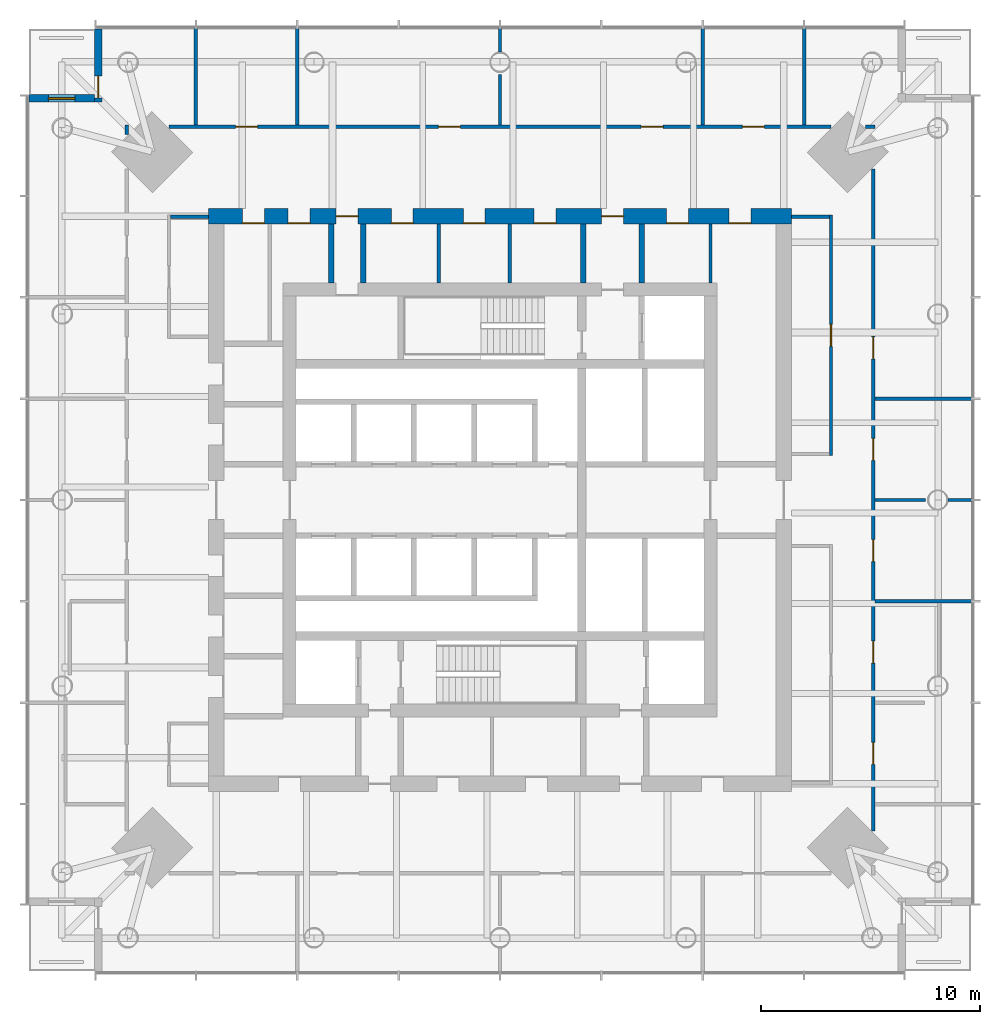
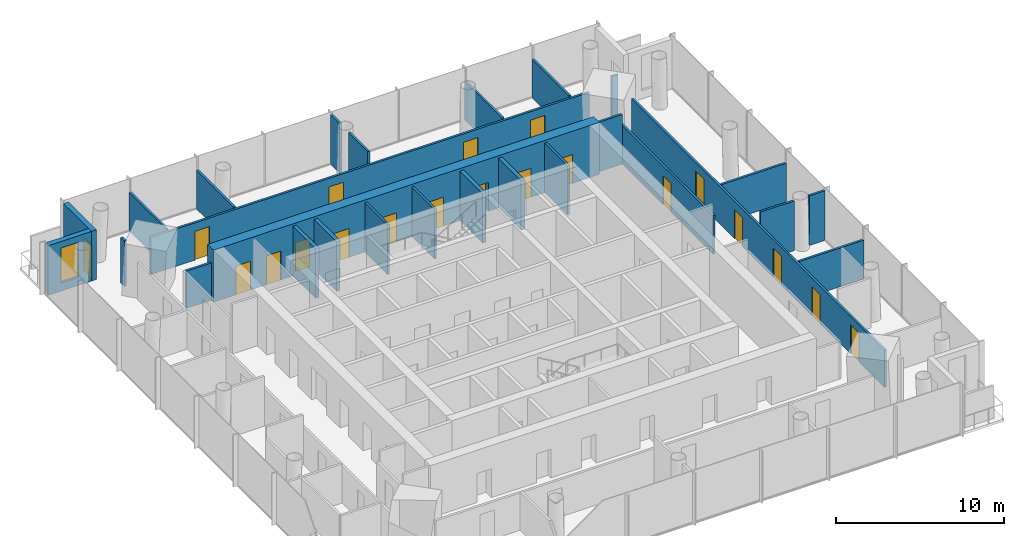
# One storey, part 7 of 9: 27 walls, 20 doors, 1 window, 21 openings.
"""IFC4 building model written with IfcOpenShell, lengths in metres."""

from ifc_helpers import new_model, si_unit, direction, frame, frame_2d, origin, place, context, subcontext, project, spatial, rectangle, extrude, material, layer, layer_set, type_object, element, fill, save


model = new_model("IFC4")

# Units and contexts
model_context = context("Model", 3, precision=1e-05, world=origin(), true_north=direction((0.0, 1.0)))
body_context = subcontext(model_context, "Body", "Model", "MODEL_VIEW")
ifc_project = project(units=[si_unit("LENGTHUNIT", "METRE"), si_unit("AREAUNIT", "SQUARE_METRE"), si_unit("VOLUMEUNIT", "CUBIC_METRE"), si_unit("PLANEANGLEUNIT", "RADIAN"), si_unit("MASSUNIT", "GRAM", prefix="KILO")], contexts=[model_context])

# Site, building, storey
site_placement = place(None, origin())
site = spatial("IfcSite", under=ifc_project, at=site_placement, CompositionType="ELEMENT")
building_placement = place(site_placement, origin())
building = spatial("IfcBuilding", under=site, at=building_placement, Name="Ostroluk Exchange", CompositionType="ELEMENT")
storey_placement = place(building_placement, frame((0.0, 0.0, 146.39990234375)))
storey = spatial("IfcBuildingStorey", under=building, at=storey_placement, Name="L37", CompositionType="ELEMENT", Elevation=146.39990234375)

# Walls
ifc_material_1 = material(Name="Concrete blockwork", Category="masonry")
ifc_layer_1 = layer(ifc_material_1, 0.14990234375)
ifc_layer_set_1 = layer_set([ifc_layer_1], Name="Blockwork plant room wall 150")
wall_type_1 = type_object("IfcWallType", Name="Blockwork plant room wall 150", PredefinedType="SOLIDWALL", material=ifc_layer_set_1)
for number, where, z_axis, x_axis, name in (
    (1, (42.208740234375, 55.89990234375, 0.0), (0.0, 0.0, 1.0), (0.0, 1.0, 0.0), "Core room wall"),
    (2, (45.4443359375, 55.89990234375, 0.0), (0.0, 0.0, 1.0), (0.0, 1.0, 0.0), "Core room wall"),
    (3, (54.60009765625, 55.89990234375, 0.0), (0.0, 0.0, 1.0), (0.0, 1.0, 0.0), "Core room wall"),
):
    element("IfcWall", number, at=place(storey_placement, frame(where, z_axis=z_axis, x_axis=x_axis)), inside=storey, type_object=wall_type_1, Name=name, PredefinedType="SOLIDWALL", context=body_context, shape_type="SweptSolid", body=[
        extrude(rectangle(XDim=2.7001953125, YDim=0.14990234375, at=frame_2d((1.35009765625, 0.0))), origin(), (0.0, 0.0, 1.0), 3.6201171875),
    ])
ifc_material_2 = material(Name="Concrete blockwork", Category="masonry")
ifc_layer_2 = layer(ifc_material_2, 0.25)
ifc_layer_set_2 = layer_set([ifc_layer_2], Name="Blockwork stair enclosure wall 250")
wall_type_2 = type_object("IfcWallType", Name="Blockwork stair enclosure wall 250", PredefinedType="SOLIDWALL", material=ifc_layer_set_2)
for number, where, z_axis, x_axis, name in (
    (4, (48.804931640625, 55.89990234375, 0.0), (0.0, 0.0, 1.0), (0.0, 1.0, 0.0), "Fire lobby enclosure wall"),
    (5, (51.47509765625, 55.89990234375, 0.0), (0.0, 0.0, 1.0), (0.0, 1.0, 0.0), "Fire lobby enclosure wall"),
    (6, (37.300048828125, 55.89990234375, 0.0), (0.0, 0.0, 1.0), (0.0, 1.0, 0.0), "Core corridor wall"),
    (7, (38.75, 55.89990234375, 0.0), (0.0, 0.0, 1.0), (0.0, 1.0, 0.0), "Core corridor wall"),
):
    element("IfcWall", number, at=place(storey_placement, frame(where, z_axis=z_axis, x_axis=x_axis)), inside=storey, type_object=wall_type_2, Name=name, PredefinedType="SOLIDWALL", context=body_context, shape_type="SweptSolid", body=[
        extrude(rectangle(XDim=2.7001953125, YDim=0.25, at=frame_2d((1.35009765625, 0.0))), origin(), (0.0, 0.0, 1.0), 3.6201171875),
    ])

# Wall, openings, doors
ifc_material_3 = material(Name="Concrete C50/60", Category="concrete")
ifc_layer_3 = layer(ifc_material_3, 0.699951171875)
ifc_layer_set_3 = layer_set([ifc_layer_3], Name="Core wall 700 C50/60")
wall_type_3 = type_object("IfcWallType", Name="Core wall 700 C50/60", PredefinedType="SHEAR", material=ifc_layer_set_3)
wall_1_placement = place(storey_placement, frame((31.699951171875, 58.949951171875, 0.0), z_axis=(0.0, 0.0, 1.0), x_axis=(1.0, 0.0, 0.0)))
wall_1 = element("IfcWall", 8, at=wall_1_placement, inside=storey, type_object=wall_type_3, Name="T1 core wall RN", PredefinedType="SHEAR", context=body_context, shape_type="SweptSolid", body=[
    extrude(rectangle(XDim=26.60009765625, YDim=0.699951171875, at=frame_2d((13.300048828125, 0.0))), origin(), (0.0, 0.0, 1.0), 3.800048828125),
])
opening_1_placement = place(wall_1_placement, frame((17.93994140625, 0.0, 0.0)))
opening_1 = element("IfcOpeningElement", 9, at=opening_1_placement, cuts=wall_1, Name="Opening FD60", PredefinedType="OPENING", context=body_context, shape_type="SweptSolid", body=[
    extrude(rectangle(XDim=1.0, YDim=2.10009765625, at=frame_2d((0.5, 1.050048828125))), frame((0.0, 0.35986328125, 0.0), z_axis=(0.0, -1.0, 0.0), x_axis=(1.0, 0.0, 0.0)), (0.0, 0.0, 1.0), 0.719970703125),
])
opening_2_placement = place(wall_1_placement, frame((5.824951171875, 0.0, 0.0)))
opening_2 = element("IfcOpeningElement", 10, at=opening_2_placement, cuts=wall_1, Name="Opening FD60", PredefinedType="OPENING", context=body_context, shape_type="SweptSolid", body=[
    extrude(rectangle(XDim=1.0, YDim=2.10009765625, at=frame_2d((0.5, 1.050048828125))), frame((0.0, 0.35986328125, 0.0), z_axis=(0.0, -1.0, 0.0), x_axis=(1.0, 0.0, 0.0)), (0.0, 0.0, 1.0), 0.719970703125),
])
opening_3_placement = place(wall_1_placement, frame((1.551025390625, 0.0, 0.0)))
opening_3 = element("IfcOpeningElement", 11, at=opening_3_placement, cuts=wall_1, Name="Opening FD60", PredefinedType="OPENING", context=body_context, shape_type="SweptSolid", body=[
    extrude(rectangle(XDim=1.0, YDim=2.10009765625, at=frame_2d((0.5, 1.050048828125))), frame((0.0, 0.35986328125, 0.0), z_axis=(0.0, -1.0, 0.0), x_axis=(1.0, 0.0, 0.0)), (0.0, 0.0, 1.0), 0.719970703125),
])
opening_4_placement = place(wall_1_placement, frame((3.637939453125, 0.0, 0.0)))
opening_4 = element("IfcOpeningElement", 12, at=opening_4_placement, cuts=wall_1, Name="Opening FD60", PredefinedType="OPENING", context=body_context, shape_type="SweptSolid", body=[
    extrude(rectangle(XDim=1.0, YDim=2.10009765625, at=frame_2d((0.5, 1.050048828125))), frame((0.0, 0.35986328125, 0.0), z_axis=(0.0, -1.0, 0.0), x_axis=(1.0, 0.0, 0.0)), (0.0, 0.0, 1.0), 0.719970703125),
])
opening_5_placement = place(wall_1_placement, frame((8.341796875, 0.0, 0.0)))
opening_5 = element("IfcOpeningElement", 13, at=opening_5_placement, cuts=wall_1, Name="Opening FD60", PredefinedType="OPENING", context=body_context, shape_type="SweptSolid", body=[
    extrude(rectangle(XDim=1.0, YDim=2.10009765625, at=frame_2d((0.5, 1.050048828125))), frame((0.0, 0.35986328125, 0.0), z_axis=(0.0, -1.0, 0.0), x_axis=(1.0, 0.0, 0.0)), (0.0, 0.0, 1.0), 0.719970703125),
])
opening_6_placement = place(wall_1_placement, frame((11.62646484375, 0.0, 0.0)))
opening_6 = element("IfcOpeningElement", 14, at=opening_6_placement, cuts=wall_1, Name="Opening FD60", PredefinedType="OPENING", context=body_context, shape_type="SweptSolid", body=[
    extrude(rectangle(XDim=1.0, YDim=2.10009765625, at=frame_2d((0.5, 1.050048828125))), frame((0.0, 0.35986328125, 0.0), z_axis=(0.0, -1.0, 0.0), x_axis=(1.0, 0.0, 0.0)), (0.0, 0.0, 1.0), 0.719970703125),
])
opening_7_placement = place(wall_1_placement, frame((14.862060546875, 0.0, 0.0)))
opening_7 = element("IfcOpeningElement", 15, at=opening_7_placement, cuts=wall_1, Name="Opening FD60", PredefinedType="OPENING", context=body_context, shape_type="SweptSolid", body=[
    extrude(rectangle(XDim=1.0, YDim=2.10009765625, at=frame_2d((0.5, 1.050048828125))), frame((0.0, 0.35986328125, 0.0), z_axis=(0.0, -1.0, 0.0), x_axis=(1.0, 0.0, 0.0)), (0.0, 0.0, 1.0), 0.719970703125),
])
opening_8_placement = place(wall_1_placement, frame((20.89990234375, 0.0, 0.0)))
opening_8 = element("IfcOpeningElement", 16, at=opening_8_placement, cuts=wall_1, Name="Opening FD60", PredefinedType="OPENING", context=body_context, shape_type="SweptSolid", body=[
    extrude(rectangle(XDim=1.0, YDim=2.10009765625, at=frame_2d((0.5, 1.050048828125))), frame((0.0, 0.35986328125, 0.0), z_axis=(0.0, -1.0, 0.0), x_axis=(1.0, 0.0, 0.0)), (0.0, 0.0, 1.0), 0.719970703125),
])
opening_9_placement = place(wall_1_placement, frame((23.75, 0.0, 0.0)))
opening_9 = element("IfcOpeningElement", 17, at=opening_9_placement, cuts=wall_1, Name="Opening FD60", PredefinedType="OPENING", context=body_context, shape_type="SweptSolid", body=[
    extrude(rectangle(XDim=1.0, YDim=2.10009765625, at=frame_2d((0.5, 1.050048828125))), frame((0.0, 0.35986328125, 0.0), z_axis=(0.0, -1.0, 0.0), x_axis=(1.0, 0.0, 0.0)), (0.0, 0.0, 1.0), 0.719970703125),
])
ifc_material_4 = material(Name="Steel", Category="steel")
door_type_1 = type_object("IfcDoorType", Name="Fire door EI 60 1000 x 2100", OperationType="SINGLE_SWING_LEFT", PredefinedType="DOOR", material=ifc_material_4)
door_1_placement = place(opening_1_placement, origin())
door_1 = element("IfcDoor", 18, at=door_1_placement, inside=storey, type_object=door_type_1, Name="Firefighting lobby door", OperationType="SINGLE_SWING_RIGHT", OverallHeight=2.10009765625, OverallWidth=1.0, PredefinedType="DOOR", context=body_context, shape_type="SweptSolid", body=[
    extrude(rectangle(XDim=1.0, YDim=2.10009765625, at=frame_2d((0.5, 1.050048828125))), frame((0.0, 0.02490234375, 0.0), z_axis=(0.0, -1.0, 0.0), x_axis=(1.0, 0.0, 0.0)), (0.0, 0.0, 1.0), 0.050048828125),
])
fill(opening_1, door_1)
door_2_placement = place(opening_2_placement, origin())
door_2 = element("IfcDoor", 19, at=door_2_placement, inside=storey, type_object=door_type_1, Name="Core corridor door", OperationType="SINGLE_SWING_LEFT", OverallHeight=2.10009765625, OverallWidth=1.0, PredefinedType="DOOR", context=body_context, shape_type="SweptSolid", body=[
    extrude(rectangle(XDim=1.0, YDim=2.10009765625, at=frame_2d((0.5, 1.050048828125))), frame((0.0, 0.02490234375, 0.0), z_axis=(0.0, -1.0, 0.0), x_axis=(1.0, 0.0, 0.0)), (0.0, 0.0, 1.0), 0.050048828125),
])
fill(opening_2, door_2)
door_3_placement = place(opening_3_placement, origin())
door_3 = element("IfcDoor", 20, at=door_3_placement, inside=storey, type_object=door_type_1, Name="Tenant IT room door", OperationType="SINGLE_SWING_LEFT", OverallHeight=2.10009765625, OverallWidth=1.0, PredefinedType="DOOR", context=body_context, shape_type="SweptSolid", body=[
    extrude(rectangle(XDim=1.0, YDim=2.10009765625, at=frame_2d((0.5, 1.050048828125))), frame((0.0, -0.2900390625, 0.0), z_axis=(0.0, -1.0, 0.0), x_axis=(1.0, 0.0, 0.0)), (0.0, 0.0, 1.0), 0.050048828125),
])
fill(opening_3, door_3)
door_4_placement = place(opening_4_placement, origin())
door_4 = element("IfcDoor", 21, at=door_4_placement, inside=storey, type_object=door_type_1, Name="First aid room door", OperationType="SINGLE_SWING_LEFT", OverallHeight=2.10009765625, OverallWidth=1.0, PredefinedType="DOOR", context=body_context, shape_type="SweptSolid", body=[
    extrude(rectangle(XDim=1.0, YDim=2.10009765625, at=frame_2d((0.5, 1.050048828125))), frame((0.0, -0.2900390625, 0.0), z_axis=(0.0, -1.0, 0.0), x_axis=(1.0, 0.0, 0.0)), (0.0, 0.0, 1.0), 0.050048828125),
])
fill(opening_4, door_4)
door_5_placement = place(opening_5_placement, origin())
door_5 = element("IfcDoor", 22, at=door_5_placement, inside=storey, type_object=door_type_1, Name="Print and post room door", OperationType="SINGLE_SWING_LEFT", OverallHeight=2.10009765625, OverallWidth=1.0, PredefinedType="DOOR", context=body_context, shape_type="SweptSolid", body=[
    extrude(rectangle(XDim=1.0, YDim=2.10009765625, at=frame_2d((0.5, 1.050048828125))), frame((0.0, -0.2900390625, 0.0), z_axis=(0.0, -1.0, 0.0), x_axis=(1.0, 0.0, 0.0)), (0.0, 0.0, 1.0), 0.050048828125),
])
fill(opening_5, door_5)
door_6_placement = place(opening_6_placement, origin())
door_6 = element("IfcDoor", 23, at=door_6_placement, inside=storey, type_object=door_type_1, Name="Archive door", OperationType="SINGLE_SWING_LEFT", OverallHeight=2.10009765625, OverallWidth=1.0, PredefinedType="DOOR", context=body_context, shape_type="SweptSolid", body=[
    extrude(rectangle(XDim=1.0, YDim=2.10009765625, at=frame_2d((0.5, 1.050048828125))), frame((0.0, -0.2900390625, 0.0), z_axis=(0.0, -1.0, 0.0), x_axis=(1.0, 0.0, 0.0)), (0.0, 0.0, 1.0), 0.050048828125),
])
fill(opening_6, door_6)
door_7_placement = place(opening_7_placement, origin())
door_7 = element("IfcDoor", 24, at=door_7_placement, inside=storey, type_object=door_type_1, Name="Tenant IT room door", OperationType="SINGLE_SWING_RIGHT", OverallHeight=2.10009765625, OverallWidth=1.0, PredefinedType="DOOR", context=body_context, shape_type="SweptSolid", body=[
    extrude(rectangle(XDim=1.0, YDim=2.10009765625, at=frame_2d((0.5, 1.050048828125))), frame((0.0, -0.2900390625, 0.0), z_axis=(0.0, -1.0, 0.0), x_axis=(1.0, 0.0, 0.0)), (0.0, 0.0, 1.0), 0.050048828125),
])
fill(opening_7, door_7)
door_8_placement = place(opening_8_placement, origin())
door_8 = element("IfcDoor", 25, at=door_8_placement, inside=storey, type_object=door_type_1, Name="First aid room door", OperationType="SINGLE_SWING_RIGHT", OverallHeight=2.10009765625, OverallWidth=1.0, PredefinedType="DOOR", context=body_context, shape_type="SweptSolid", body=[
    extrude(rectangle(XDim=1.0, YDim=2.10009765625, at=frame_2d((0.5, 1.050048828125))), frame((0.0, -0.2900390625, 0.0), z_axis=(0.0, -1.0, 0.0), x_axis=(1.0, 0.0, 0.0)), (0.0, 0.0, 1.0), 0.050048828125),
])
fill(opening_8, door_8)
door_9_placement = place(opening_9_placement, origin())
door_9 = element("IfcDoor", 26, at=door_9_placement, inside=storey, type_object=door_type_1, Name="Tea point door", OperationType="SINGLE_SWING_RIGHT", OverallHeight=2.10009765625, OverallWidth=1.0, PredefinedType="DOOR", context=body_context, shape_type="SweptSolid", body=[
    extrude(rectangle(XDim=1.0, YDim=2.10009765625, at=frame_2d((0.5, 1.050048828125))), frame((0.0, -0.2900390625, 0.0), z_axis=(0.0, -1.0, 0.0), x_axis=(1.0, 0.0, 0.0)), (0.0, 0.0, 1.0), 0.050048828125),
])
fill(opening_9, door_9)

# Wall, opening, door
ifc_material_5 = material(Name="Limestone", Category="masonry")
ifc_layer_4 = layer(ifc_material_5, 0.35009765625)
ifc_layer_set_4 = layer_set([ifc_layer_4], Name="Limestone facade wall 350")
wall_type_4 = type_object("IfcWallType", Name="Limestone facade wall 350", PredefinedType="SOLIDWALL", material=ifc_layer_set_4)
wall_2_placement = place(storey_placement, frame((26.675048828125, 67.5, 0.0), z_axis=(0.0, 0.0, 1.0), x_axis=(0.0, -1.0, 0.0)))
wall_2 = element("IfcWall", 27, at=wall_2_placement, inside=storey, type_object=wall_type_4, Name="Office tower NW corner wall L37 a", PredefinedType="SOLIDWALL", context=body_context, shape_type="SweptSolid", body=[
    extrude(rectangle(XDim=3.35009765625, YDim=0.35009765625, at=frame_2d((1.675048828125, 0.0))), origin(), (0.0, 0.0, 1.0), 3.6201171875),
])
opening_10_placement = place(wall_2_placement, frame((2.14990234375, 0.0, 0.0)))
opening_10 = element("IfcOpeningElement", 28, at=opening_10_placement, cuts=wall_2, Name="Opening D-B1", PredefinedType="OPENING", context=body_context, shape_type="SweptSolid", body=[
    extrude(rectangle(XDim=1.0, YDim=2.39990234375, at=frame_2d((0.5, 1.199951171875))), frame((0.0, 0.18505859375, 0.0), z_axis=(0.0, -1.0, 0.0), x_axis=(1.0, 0.0, 0.0)), (0.0, 0.0, 1.0), 0.3701171875),
])
ifc_material_6 = material(Name="Bronze framed glazed door", Category="aluminium")
door_type_2 = type_object("IfcDoorType", Name="Balcony door 1000 x 2400", OperationType="SINGLE_SWING_LEFT", PredefinedType="DOOR", material=ifc_material_6)
door_10_placement = place(opening_10_placement, origin())
door_10 = element("IfcDoor", 29, at=door_10_placement, inside=storey, type_object=door_type_2, Name="Office tower NW balcony door L37", OperationType="SINGLE_SWING_RIGHT", OverallHeight=2.39990234375, OverallWidth=1.0, PredefinedType="DOOR", context=body_context, shape_type="SweptSolid", body=[
    extrude(rectangle(XDim=1.0, YDim=2.39990234375, at=frame_2d((0.5, 1.199951171875))), frame((0.0, 0.02490234375, 0.0), z_axis=(0.0, -1.0, 0.0), x_axis=(1.0, 0.0, 0.0)), (0.0, 0.0, 1.0), 0.050048828125),
])
fill(opening_10, door_10)

# Wall, opening, window
wall_3_placement = place(storey_placement, frame((26.5, 64.324951171875, 0.0), z_axis=(0.0, 0.0, 1.0), x_axis=(-1.0, 0.0, 0.0)))
wall_3 = element("IfcWall", 30, at=wall_3_placement, inside=storey, type_object=wall_type_4, Name="Office tower NW corner wall L37 b", PredefinedType="SOLIDWALL", context=body_context, shape_type="SweptSolid", body=[
    extrude(rectangle(XDim=3.0, YDim=0.35009765625, at=frame_2d((1.5, 0.0))), origin(), (0.0, 0.0, 1.0), 3.6201171875),
])
opening_11_placement = place(wall_3_placement, frame((0.89990234375, 0.0, 0.60009765625)))
opening_11 = element("IfcOpeningElement", 31, at=opening_11_placement, cuts=wall_3, Name="Opening WN-L1", PredefinedType="OPENING", context=body_context, shape_type="SweptSolid", body=[
    extrude(rectangle(XDim=1.199951171875, YDim=2.550048828125, at=frame_2d((0.60009765625, 1.27490234375))), frame((0.0, 0.18505859375, 0.0), z_axis=(0.0, -1.0, 0.0), x_axis=(1.0, 0.0, 0.0)), (0.0, 0.0, 1.0), 0.3701171875),
])
ifc_material_7 = material(Name="Laminated clear glass", Category="glass")
window_type = type_object("IfcWindowType", Name="Lancet window 1200 x 2550", PartitioningType="SINGLE_PANEL", PredefinedType="WINDOW", material=ifc_material_7)
window_placement = place(opening_11_placement, origin())
window = element("IfcWindow", 32, at=window_placement, inside=storey, type_object=window_type, Name="Office tower NW lancet window L37", OverallHeight=2.550048828125, OverallWidth=1.199951171875, PartitioningType="SINGLE_PANEL", PredefinedType="WINDOW", context=body_context, shape_type="SweptSolid", body=[
    extrude(rectangle(XDim=1.199951171875, YDim=2.550048828125, at=frame_2d((0.60009765625, 1.27490234375))), frame((0.0, 0.030029296875, 0.0), z_axis=(0.0, -1.0, 0.0), x_axis=(1.0, 0.0, 0.0)), (0.0, 0.0, 1.0), 0.06005859375),
])
fill(opening_11, window)

# Wall, opening, door
ifc_material_8 = material(Name="Gypsum plasterboard partition", Category="gypsum")
ifc_layer_5 = layer(ifc_material_8, 0.14990234375)
ifc_layer_set_5 = layer_set([ifc_layer_5], Name="Plasterboard partition 150")
wall_type_5 = type_object("IfcWallType", Name="Plasterboard partition 150", PredefinedType="PARTITIONING", material=ifc_layer_set_5)
wall_4_placement = place(storey_placement, frame((60.10009765625, 48.02490234375, 0.0), z_axis=(0.0, 0.0, 1.0), x_axis=(0.0, 1.0, 0.0)))
wall_4 = element("IfcWall", 33, at=wall_4_placement, inside=storey, type_object=wall_type_5, Name="Partition", PredefinedType="PARTITIONING", context=body_context, shape_type="SweptSolid", body=[
    extrude(rectangle(XDim=10.97509765625, YDim=0.14990234375, at=frame_2d((5.487548828125, 0.0))), origin(), (0.0, 0.0, 1.0), 2.80615234375),
])
opening_12_placement = place(wall_4_placement, frame((4.987548828125, 0.0, 0.0)))
opening_12 = element("IfcOpeningElement", 34, at=opening_12_placement, cuts=wall_4, Name="Opening D-03", PredefinedType="OPENING", context=body_context, shape_type="SweptSolid", body=[
    extrude(rectangle(XDim=1.0, YDim=2.10009765625, at=frame_2d((0.5, 1.050048828125))), frame((0.0, 0.0849609375, 0.0), z_axis=(0.0, -1.0, 0.0), x_axis=(1.0, 0.0, 0.0)), (0.0, 0.0, 1.0), 0.169921875),
])
ifc_material_9 = material(Name="Timber", Category="wood")
door_type_3 = type_object("IfcDoorType", Name="Internal door 1000 x 2100", OperationType="SINGLE_SWING_LEFT", PredefinedType="DOOR", material=ifc_material_9)
door_11_placement = place(opening_12_placement, origin())
door_11 = element("IfcDoor", 35, at=door_11_placement, inside=storey, type_object=door_type_3, Name="Meeting room door", OperationType="SINGLE_SWING_LEFT", OverallHeight=2.10009765625, OverallWidth=1.0, PredefinedType="DOOR", context=body_context, shape_type="SweptSolid", body=[
    extrude(rectangle(XDim=1.0, YDim=2.10009765625, at=frame_2d((0.5, 1.050048828125))), frame((0.0, 0.02490234375, 0.0), z_axis=(0.0, -1.0, 0.0), x_axis=(1.0, 0.0, 0.0)), (0.0, 0.0, 1.0), 0.050048828125),
])
fill(opening_12, door_11)

# Walls
wall_5_placement = place(storey_placement, frame((58.300048828125, 58.925048828125, 0.0), z_axis=(0.0, 0.0, 1.0), x_axis=(1.0, 0.0, 0.0)))
element("IfcWall", 36, at=wall_5_placement, inside=storey, type_object=wall_type_5, Name="Partition", PredefinedType="PARTITIONING", context=body_context, shape_type="SweptSolid", body=[
    extrude(rectangle(XDim=1.724853515625, YDim=0.14990234375, at=frame_2d((0.8623046875, 0.0))), origin(), (0.0, 0.0, 1.0), 3.6201171875),
])
wall_6_placement = place(storey_placement, frame((31.699951171875, 58.925048828125, 0.0), z_axis=(0.0, 0.0, 1.0), x_axis=(-1.0, 0.0, 0.0)))
element("IfcWall", 37, at=wall_6_placement, inside=storey, type_object=wall_type_5, Name="Partition", PredefinedType="PARTITIONING", context=body_context, shape_type="SweptSolid", body=[
    extrude(rectangle(XDim=1.724853515625, YDim=0.14990234375, at=frame_2d((0.8623046875, 0.0))), origin(), (0.0, 0.0, 1.0), 2.72021484375),
])

# Wall, openings, doors
wall_7_placement = place(storey_placement, frame((62.02490234375, 30.888427734375, 0.0), z_axis=(0.0, 0.0, 1.0), x_axis=(0.0, 1.0, 0.0)))
wall_7 = element("IfcWall", 38, at=wall_7_placement, inside=storey, type_object=wall_type_5, Name="Partition", PredefinedType="PARTITIONING", context=body_context, shape_type="SweptSolid", body=[
    extrude(rectangle(XDim=30.22314453125, YDim=0.14990234375, at=frame_2d((15.111572265625, 0.0))), origin(), (0.0, 0.0, 1.0), 2.72021484375),
])
opening_13_placement = place(wall_7_placement, frame((3.049072265625, 0.0, 0.0)))
opening_13 = element("IfcOpeningElement", 39, at=opening_13_placement, cuts=wall_7, Name="Opening D-03", PredefinedType="OPENING", context=body_context, shape_type="SweptSolid", body=[
    extrude(rectangle(XDim=1.0, YDim=2.10009765625, at=frame_2d((0.5, 1.050048828125))), frame((0.0, 0.0849609375, 0.0), z_axis=(0.0, -1.0, 0.0), x_axis=(1.0, 0.0, 0.0)), (0.0, 0.0, 1.0), 0.169921875),
])
opening_14_placement = place(wall_7_placement, frame((7.674072265625, 0.0, 0.0)))
opening_14 = element("IfcOpeningElement", 40, at=opening_14_placement, cuts=wall_7, Name="Opening D-03", PredefinedType="OPENING", context=body_context, shape_type="SweptSolid", body=[
    extrude(rectangle(XDim=1.0, YDim=2.10009765625, at=frame_2d((0.5, 1.050048828125))), frame((0.0, 0.0849609375, 0.0), z_axis=(0.0, -1.0, 0.0), x_axis=(1.0, 0.0, 0.0)), (0.0, 0.0, 1.0), 0.169921875),
])
opening_15_placement = place(wall_7_placement, frame((12.299072265625, 0.0, 0.0)))
opening_15 = element("IfcOpeningElement", 41, at=opening_15_placement, cuts=wall_7, Name="Opening D-03", PredefinedType="OPENING", context=body_context, shape_type="SweptSolid", body=[
    extrude(rectangle(XDim=1.0, YDim=2.10009765625, at=frame_2d((0.5, 1.050048828125))), frame((0.0, 0.0849609375, 0.0), z_axis=(0.0, -1.0, 0.0), x_axis=(1.0, 0.0, 0.0)), (0.0, 0.0, 1.0), 0.169921875),
])
opening_16_placement = place(wall_7_placement, frame((16.924072265625, 0.0, 0.0)))
opening_16 = element("IfcOpeningElement", 42, at=opening_16_placement, cuts=wall_7, Name="Opening D-03", PredefinedType="OPENING", context=body_context, shape_type="SweptSolid", body=[
    extrude(rectangle(XDim=1.0, YDim=2.10009765625, at=frame_2d((0.5, 1.050048828125))), frame((0.0, 0.0849609375, 0.0), z_axis=(0.0, -1.0, 0.0), x_axis=(1.0, 0.0, 0.0)), (0.0, 0.0, 1.0), 0.169921875),
])
opening_17_placement = place(wall_7_placement, frame((21.549072265625, 0.0, 0.0)))
opening_17 = element("IfcOpeningElement", 43, at=opening_17_placement, cuts=wall_7, Name="Opening D-03", PredefinedType="OPENING", context=body_context, shape_type="SweptSolid", body=[
    extrude(rectangle(XDim=1.0, YDim=2.10009765625, at=frame_2d((0.5, 1.050048828125))), frame((0.0, 0.0849609375, 0.0), z_axis=(0.0, -1.0, 0.0), x_axis=(1.0, 0.0, 0.0)), (0.0, 0.0, 1.0), 0.169921875),
])
door_12_placement = place(opening_13_placement, origin())
door_12 = element("IfcDoor", 44, at=door_12_placement, inside=storey, type_object=door_type_3, Name="Office door", OperationType="SINGLE_SWING_LEFT", OverallHeight=2.10009765625, OverallWidth=1.0, PredefinedType="DOOR", context=body_context, shape_type="SweptSolid", body=[
    extrude(rectangle(XDim=1.0, YDim=2.10009765625, at=frame_2d((0.5, 1.050048828125))), frame((0.0, 0.02490234375, 0.0), z_axis=(0.0, -1.0, 0.0), x_axis=(1.0, 0.0, 0.0)), (0.0, 0.0, 1.0), 0.050048828125),
])
fill(opening_13, door_12)
door_13_placement = place(opening_14_placement, origin())
door_13 = element("IfcDoor", 45, at=door_13_placement, inside=storey, type_object=door_type_3, Name="Focus room door", OperationType="SINGLE_SWING_LEFT", OverallHeight=2.10009765625, OverallWidth=1.0, PredefinedType="DOOR", context=body_context, shape_type="SweptSolid", body=[
    extrude(rectangle(XDim=1.0, YDim=2.10009765625, at=frame_2d((0.5, 1.050048828125))), frame((0.0, 0.02490234375, 0.0), z_axis=(0.0, -1.0, 0.0), x_axis=(1.0, 0.0, 0.0)), (0.0, 0.0, 1.0), 0.050048828125),
])
fill(opening_14, door_13)
door_14_placement = place(opening_15_placement, origin())
door_14 = element("IfcDoor", 46, at=door_14_placement, inside=storey, type_object=door_type_3, Name="Pantry door", OperationType="SINGLE_SWING_LEFT", OverallHeight=2.10009765625, OverallWidth=1.0, PredefinedType="DOOR", context=body_context, shape_type="SweptSolid", body=[
    extrude(rectangle(XDim=1.0, YDim=2.10009765625, at=frame_2d((0.5, 1.050048828125))), frame((0.0, 0.02490234375, 0.0), z_axis=(0.0, -1.0, 0.0), x_axis=(1.0, 0.0, 0.0)), (0.0, 0.0, 1.0), 0.050048828125),
])
fill(opening_15, door_14)
door_15_placement = place(opening_16_placement, origin())
door_15 = element("IfcDoor", 47, at=door_15_placement, inside=storey, type_object=door_type_3, Name="Meeting room door", OperationType="SINGLE_SWING_RIGHT", OverallHeight=2.10009765625, OverallWidth=1.0, PredefinedType="DOOR", context=body_context, shape_type="SweptSolid", body=[
    extrude(rectangle(XDim=1.0, YDim=2.10009765625, at=frame_2d((0.5, 1.050048828125))), frame((0.0, 0.02490234375, 0.0), z_axis=(0.0, -1.0, 0.0), x_axis=(1.0, 0.0, 0.0)), (0.0, 0.0, 1.0), 0.050048828125),
])
fill(opening_16, door_15)
door_16_placement = place(opening_17_placement, origin())
door_16 = element("IfcDoor", 48, at=door_16_placement, inside=storey, type_object=door_type_3, Name="Office door", OperationType="SINGLE_SWING_RIGHT", OverallHeight=2.10009765625, OverallWidth=1.0, PredefinedType="DOOR", context=body_context, shape_type="SweptSolid", body=[
    extrude(rectangle(XDim=1.0, YDim=2.10009765625, at=frame_2d((0.5, 1.050048828125))), frame((0.0, 0.02490234375, 0.0), z_axis=(0.0, -1.0, 0.0), x_axis=(1.0, 0.0, 0.0)), (0.0, 0.0, 1.0), 0.050048828125),
])
fill(opening_17, door_16)

# Walls
wall_8_placement = place(storey_placement, frame((62.10009765625, 41.375, 0.0), z_axis=(0.0, 0.0, 1.0), x_axis=(1.0, 0.0, 0.0)))
element("IfcWall", 49, at=wall_8_placement, inside=storey, type_object=wall_type_5, Name="Partition", PredefinedType="PARTITIONING", context=body_context, shape_type="SweptSolid", body=[
    extrude(rectangle(XDim=4.43994140625, YDim=0.14990234375, at=frame_2d((2.219970703125, 0.0))), origin(), (0.0, 0.0, 1.0), 2.820068359375),
])
wall_9_placement = place(storey_placement, frame((62.10009765625, 46.0, 0.0), z_axis=(0.0, 0.0, 1.0), x_axis=(1.0, 0.0, 0.0)))
element("IfcWall", 50, at=wall_9_placement, inside=storey, type_object=wall_type_5, Name="Partition", PredefinedType="PARTITIONING", context=body_context, shape_type="SweptSolid", body=[
    extrude(rectangle(XDim=2.314453125, YDim=0.14990234375, at=frame_2d((1.1572265625, 0.0))), origin(), (0.0, 0.0, 1.0), 3.6201171875),
])
wall_10_placement = place(storey_placement, frame((65.449951171875, 46.0, 0.0), z_axis=(0.0, 0.0, 1.0), x_axis=(1.0, 0.0, 0.0)))
element("IfcWall", 51, at=wall_10_placement, inside=storey, type_object=wall_type_5, Name="Partition", PredefinedType="PARTITIONING", context=body_context, shape_type="SweptSolid", body=[
    extrude(rectangle(XDim=1.090087890625, YDim=0.14990234375, at=frame_2d((0.544921875, 0.0))), origin(), (0.0, 0.0, 1.0), 3.6201171875),
])
wall_11_placement = place(storey_placement, frame((62.10009765625, 50.625, 0.0), z_axis=(0.0, 0.0, 1.0), x_axis=(1.0, 0.0, 0.0)))
element("IfcWall", 52, at=wall_11_placement, inside=storey, type_object=wall_type_5, Name="Partition", PredefinedType="PARTITIONING", context=body_context, shape_type="SweptSolid", body=[
    extrude(rectangle(XDim=4.43994140625, YDim=0.14990234375, at=frame_2d((2.219970703125, 0.0))), origin(), (0.0, 0.0, 1.0), 2.820068359375),
])
wall_12_placement = place(storey_placement, frame((62.10009765625, 63.02490234375, 0.0), z_axis=(0.0, 0.0, 1.0), x_axis=(-1.0, 0.0, 0.0)))
element("IfcWall", 53, at=wall_12_placement, inside=storey, type_object=wall_type_5, Name="Partition", PredefinedType="PARTITIONING", context=body_context, shape_type="SweptSolid", body=[
    extrude(rectangle(XDim=0.426025390625, YDim=0.14990234375, at=frame_2d((0.212890625, 0.0))), origin(), (0.0, 0.0, 1.0), 3.320068359375),
])

# Wall, openings, doors
wall_13_placement = place(storey_placement, frame((60.111572265625, 63.02490234375, 0.0), z_axis=(0.0, 0.0, 1.0), x_axis=(-1.0, 0.0, 0.0)))
wall_13 = element("IfcWall", 54, at=wall_13_placement, inside=storey, type_object=wall_type_5, Name="Partition", PredefinedType="PARTITIONING", context=body_context, shape_type="SweptSolid", body=[
    extrude(rectangle(XDim=30.22314453125, YDim=0.14990234375, at=frame_2d((15.111572265625, 0.0))), origin(), (0.0, 0.0, 1.0), 2.72021484375),
])
opening_18_placement = place(wall_13_placement, frame((3.049072265625, 0.0, 0.0)))
opening_18 = element("IfcOpeningElement", 55, at=opening_18_placement, cuts=wall_13, Name="Opening D-03", PredefinedType="OPENING", context=body_context, shape_type="SweptSolid", body=[
    extrude(rectangle(XDim=1.0, YDim=2.10009765625, at=frame_2d((0.5, 1.050048828125))), frame((0.0, 0.0849609375, 0.0), z_axis=(0.0, -1.0, 0.0), x_axis=(1.0, 0.0, 0.0)), (0.0, 0.0, 1.0), 0.169921875),
])
opening_19_placement = place(wall_13_placement, frame((7.674072265625, 0.0, 0.0)))
opening_19 = element("IfcOpeningElement", 56, at=opening_19_placement, cuts=wall_13, Name="Opening D-03", PredefinedType="OPENING", context=body_context, shape_type="SweptSolid", body=[
    extrude(rectangle(XDim=1.0, YDim=2.10009765625, at=frame_2d((0.5, 1.050048828125))), frame((0.0, 0.0849609375, 0.0), z_axis=(0.0, -1.0, 0.0), x_axis=(1.0, 0.0, 0.0)), (0.0, 0.0, 1.0), 0.169921875),
])
opening_20_placement = place(wall_13_placement, frame((16.924072265625, 0.0, 0.0)))
opening_20 = element("IfcOpeningElement", 57, at=opening_20_placement, cuts=wall_13, Name="Opening D-03", PredefinedType="OPENING", context=body_context, shape_type="SweptSolid", body=[
    extrude(rectangle(XDim=1.0, YDim=2.10009765625, at=frame_2d((0.5, 1.050048828125))), frame((0.0, 0.0849609375, 0.0), z_axis=(0.0, -1.0, 0.0), x_axis=(1.0, 0.0, 0.0)), (0.0, 0.0, 1.0), 0.169921875),
])
opening_21_placement = place(wall_13_placement, frame((26.174072265625, 0.0, 0.0)))
opening_21 = element("IfcOpeningElement", 58, at=opening_21_placement, cuts=wall_13, Name="Opening D-03", PredefinedType="OPENING", context=body_context, shape_type="SweptSolid", body=[
    extrude(rectangle(XDim=1.0, YDim=2.10009765625, at=frame_2d((0.5, 1.050048828125))), frame((0.0, 0.0849609375, 0.0), z_axis=(0.0, -1.0, 0.0), x_axis=(1.0, 0.0, 0.0)), (0.0, 0.0, 1.0), 0.169921875),
])
door_17_placement = place(opening_18_placement, origin())
door_17 = element("IfcDoor", 59, at=door_17_placement, inside=storey, type_object=door_type_3, Name="Office door", OperationType="SINGLE_SWING_LEFT", OverallHeight=2.10009765625, OverallWidth=1.0, PredefinedType="DOOR", context=body_context, shape_type="SweptSolid", body=[
    extrude(rectangle(XDim=1.0, YDim=2.10009765625, at=frame_2d((0.5, 1.050048828125))), frame((0.0, 0.02490234375, 0.0), z_axis=(0.0, -1.0, 0.0), x_axis=(1.0, 0.0, 0.0)), (0.0, 0.0, 1.0), 0.050048828125),
])
fill(opening_18, door_17)
door_18_placement = place(opening_19_placement, origin())
door_18 = element("IfcDoor", 60, at=door_18_placement, inside=storey, type_object=door_type_3, Name="Office door", OperationType="SINGLE_SWING_LEFT", OverallHeight=2.10009765625, OverallWidth=1.0, PredefinedType="DOOR", context=body_context, shape_type="SweptSolid", body=[
    extrude(rectangle(XDim=1.0, YDim=2.10009765625, at=frame_2d((0.5, 1.050048828125))), frame((0.0, 0.02490234375, 0.0), z_axis=(0.0, -1.0, 0.0), x_axis=(1.0, 0.0, 0.0)), (0.0, 0.0, 1.0), 0.050048828125),
])
fill(opening_19, door_18)
door_19_placement = place(opening_20_placement, origin())
door_19 = element("IfcDoor", 61, at=door_19_placement, inside=storey, type_object=door_type_3, Name="Office door", OperationType="SINGLE_SWING_RIGHT", OverallHeight=2.10009765625, OverallWidth=1.0, PredefinedType="DOOR", context=body_context, shape_type="SweptSolid", body=[
    extrude(rectangle(XDim=1.0, YDim=2.10009765625, at=frame_2d((0.5, 1.050048828125))), frame((0.0, 0.02490234375, 0.0), z_axis=(0.0, -1.0, 0.0), x_axis=(1.0, 0.0, 0.0)), (0.0, 0.0, 1.0), 0.050048828125),
])
fill(opening_20, door_19)
door_20_placement = place(opening_21_placement, origin())
door_20 = element("IfcDoor", 62, at=door_20_placement, inside=storey, type_object=door_type_3, Name="Office door", OperationType="SINGLE_SWING_RIGHT", OverallHeight=2.10009765625, OverallWidth=1.0, PredefinedType="DOOR", context=body_context, shape_type="SweptSolid", body=[
    extrude(rectangle(XDim=1.0, YDim=2.10009765625, at=frame_2d((0.5, 1.050048828125))), frame((0.0, 0.02490234375, 0.0), z_axis=(0.0, -1.0, 0.0), x_axis=(1.0, 0.0, 0.0)), (0.0, 0.0, 1.0), 0.050048828125),
])
fill(opening_21, door_20)

# Walls
for number, where, z_axis, x_axis, name in (
    (63, (58.875, 63.10009765625, 0.0), (0.0, 0.0, 1.0), (0.0, 1.0, 0.0), "Partition"),
    (64, (54.25, 63.10009765625, 0.0), (0.0, 0.0, 1.0), (0.0, 1.0, 0.0), "Partition"),
):
    element("IfcWall", number, at=place(storey_placement, frame(where, z_axis=z_axis, x_axis=x_axis)), inside=storey, type_object=wall_type_5, Name=name, PredefinedType="PARTITIONING", context=body_context, shape_type="SweptSolid", body=[
        extrude(rectangle(XDim=4.43994140625, YDim=0.14990234375, at=frame_2d((2.219970703125, 0.0))), origin(), (0.0, 0.0, 1.0), 2.820068359375),
    ])
wall_14_placement = place(storey_placement, frame((45.0, 63.10009765625, 0.0), z_axis=(0.0, 0.0, 1.0), x_axis=(0.0, 1.0, 0.0)))
element("IfcWall", 65, at=wall_14_placement, inside=storey, type_object=wall_type_5, Name="Partition", PredefinedType="PARTITIONING", context=body_context, shape_type="SweptSolid", body=[
    extrude(rectangle(XDim=2.314453125, YDim=0.14990234375, at=frame_2d((1.1572265625, 0.0))), origin(), (0.0, 0.0, 1.0), 3.6201171875),
])
wall_15_placement = place(storey_placement, frame((45.0, 66.449951171875, 0.0), z_axis=(0.0, 0.0, 1.0), x_axis=(0.0, 1.0, 0.0)))
element("IfcWall", 66, at=wall_15_placement, inside=storey, type_object=wall_type_5, Name="Partition", PredefinedType="PARTITIONING", context=body_context, shape_type="SweptSolid", body=[
    extrude(rectangle(XDim=1.090087890625, YDim=0.14990234375, at=frame_2d((0.544921875, 0.0))), origin(), (0.0, 0.0, 1.0), 3.6201171875),
])
for number, where, z_axis, x_axis, name in (
    (67, (35.75, 63.10009765625, 0.0), (0.0, 0.0, 1.0), (0.0, 1.0, 0.0), "Partition"),
    (68, (31.125, 63.10009765625, 0.0), (0.0, 0.0, 1.0), (0.0, 1.0, 0.0), "Partition"),
):
    element("IfcWall", number, at=place(storey_placement, frame(where, z_axis=z_axis, x_axis=x_axis)), inside=storey, type_object=wall_type_5, Name=name, PredefinedType="PARTITIONING", context=body_context, shape_type="SweptSolid", body=[
        extrude(rectangle(XDim=4.43994140625, YDim=0.14990234375, at=frame_2d((2.219970703125, 0.0))), origin(), (0.0, 0.0, 1.0), 2.820068359375),
    ])
wall_16_placement = place(storey_placement, frame((27.97509765625, 63.10009765625, 0.0), z_axis=(0.0, 0.0, 1.0), x_axis=(0.0, -1.0, 0.0)))
element("IfcWall", 69, at=wall_16_placement, inside=storey, type_object=wall_type_5, Name="Partition", PredefinedType="PARTITIONING", context=body_context, shape_type="SweptSolid", body=[
    extrude(rectangle(XDim=0.426025390625, YDim=0.14990234375, at=frame_2d((0.212890625, 0.0))), origin(), (0.0, 0.0, 1.0), 3.320068359375),
])

save(model, "model.ifc")
